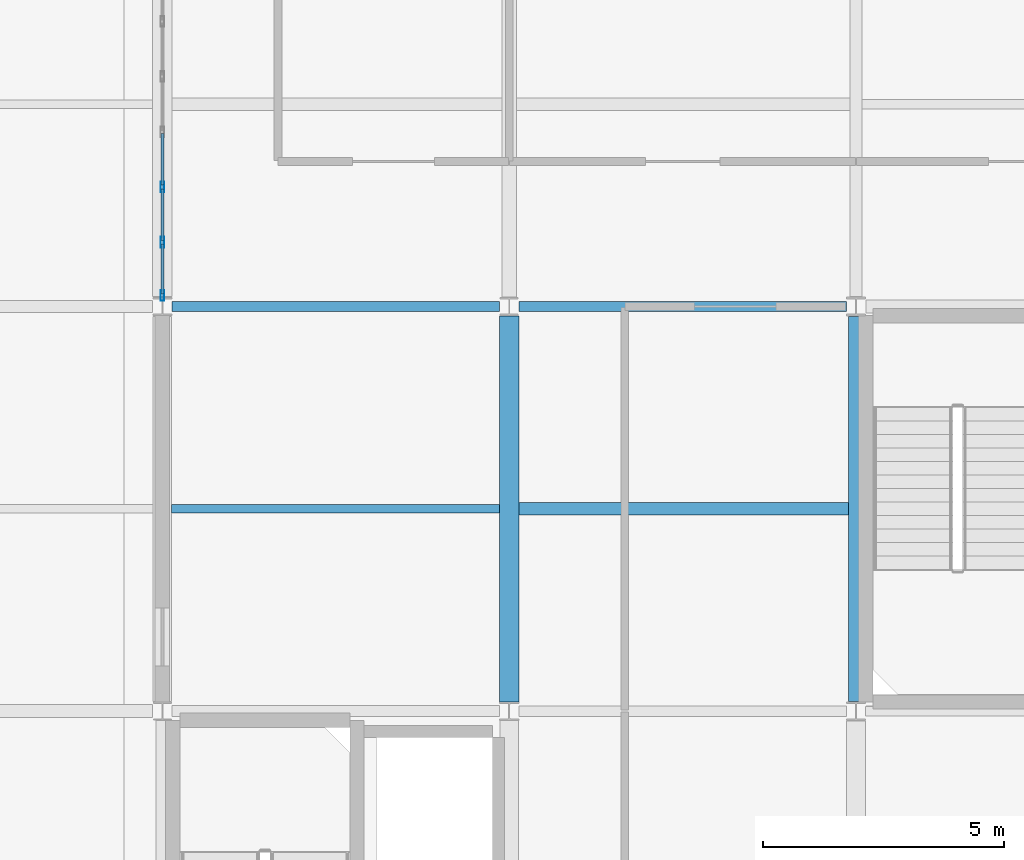
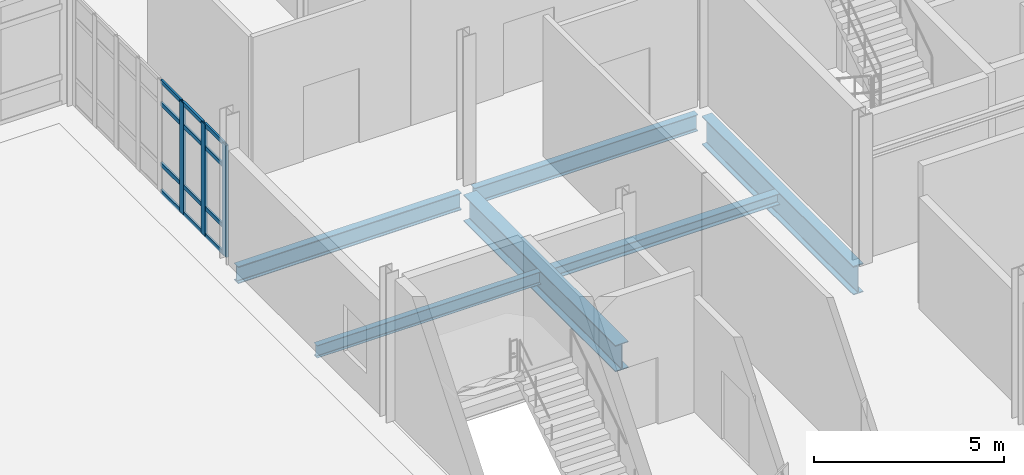
# One storey, part 69 of 186: 15 members, 6 beams, 1 element without a shape of its own.
"""IFC4 building model written with IfcOpenShell, lengths in metres."""

from ifc_helpers import new_model, si_unit, direction, frame, origin, origin_2d, place, context, subcontext, project, spatial, hollow_rectangle, i_section, extrude, material, layer, layer_set, material_profile, profile_set, type_object, element, aggregate, save


model = new_model("IFC4")

# Units and contexts
model_context = context("Model", 3, precision=1e-05, world=origin(), true_north=direction((0.0, 1.0)))
body_context = subcontext(model_context, "Body", "Model", "MODEL_VIEW")
ifc_project = project(units=[si_unit("LENGTHUNIT", "METRE"), si_unit("AREAUNIT", "SQUARE_METRE"), si_unit("VOLUMEUNIT", "CUBIC_METRE"), si_unit("PLANEANGLEUNIT", "RADIAN"), si_unit("MASSUNIT", "GRAM", prefix="KILO")], contexts=[model_context])

# Site, building, storey
site_placement = place(None, origin())
site = spatial("IfcSite", under=ifc_project, at=site_placement, CompositionType="ELEMENT")
building_placement = place(site_placement, origin())
building = spatial("IfcBuilding", under=site, at=building_placement, Name="Calvrana Isthmian Art Gallery", CompositionType="ELEMENT")
storey_placement = place(building_placement, frame((0.0, 0.0, 5.39990234375)))
storey = spatial("IfcBuildingStorey", under=building, at=storey_placement, Name="L01", CompositionType="ELEMENT", Elevation=5.39990234375)

# Beams
ifc_material_1 = material(Name="Steel ASTM A992 Gr 50", Category="steel")
ifc_material_profile_1 = material_profile(ifc_material_1, i_section(OverallWidth=0.208984375, OverallDepth=0.532958984375, WebThickness=0.01025390625, FlangeThickness=0.015625, FilletRadius=0.02099609375, at=origin_2d()), Name="W21X62")
ifc_profile_set_1 = profile_set([ifc_material_profile_1], Name="Steel ASTM A992 Gr 50")
beam_type_1 = type_object("IfcBeamType", Name="BM-G-W21X62", PredefinedType="BEAM", material=ifc_profile_set_1)
beam_1_placement = place(storey_placement, frame((120.199462890625, 38.39990234375, -0.511474609375), z_axis=(1.0, 0.0, 0.0), x_axis=(0.0, 1.0, 0.0)))
element("IfcBeam", 1, at=beam_1_placement, inside=storey, type_object=beam_type_1, Name="Girder X L01 16-17/F", PredefinedType="BEAM", context=body_context, shape_type="SweptSolid", body=[
    extrude(i_section(OverallWidth=0.208984375, OverallDepth=0.532958984375, WebThickness=0.01025390625, FlangeThickness=0.015625, FilletRadius=0.02099609375, at=origin_2d()), origin(), (0.0, 0.0, 1.0), 6.797607421875),
])
ifc_material_profile_2 = material_profile(ifc_material_1, i_section(OverallWidth=0.214111328125, OverallDepth=0.549072265625, WebThickness=0.0146484375, FlangeThickness=0.023681640625, FilletRadius=0.02099609375, at=origin_2d()), Name="W21X93")
ifc_profile_set_2 = profile_set([ifc_material_profile_2], Name="Steel ASTM A992 Gr 50")
beam_type_2 = type_object("IfcBeamType", Name="BM-G-W21X93", PredefinedType="BEAM", material=ifc_profile_set_2)
beam_2_placement = place(storey_placement, frame((113.001953125, 38.39990234375, -0.519287109375), z_axis=(1.0, 0.0, 0.0), x_axis=(0.0, 1.0, 0.0)))
element("IfcBeam", 2, at=beam_2_placement, inside=storey, type_object=beam_type_2, Name="Girder X L01 15-16/F", PredefinedType="BEAM", context=body_context, shape_type="SweptSolid", body=[
    extrude(i_section(OverallWidth=0.214111328125, OverallDepth=0.549072265625, WebThickness=0.0146484375, FlangeThickness=0.023681640625, FilletRadius=0.02099609375, at=origin_2d()), origin(), (0.0, 0.0, 1.0), 6.798583984375),
])
ifc_material_profile_3 = material_profile(ifc_material_1, i_section(OverallWidth=0.40087890625, OverallDepth=0.85595703125, WebThickness=0.018310546875, FlangeThickness=0.029296875, FilletRadius=0.02587890625, at=origin_2d()), Name="W33X201")
ifc_profile_set_3 = profile_set([ifc_material_profile_3], Name="Steel ASTM A992 Gr 50")
beam_type_3 = type_object("IfcBeamType", Name="BM-G-W33X201", PredefinedType="BEAM", material=ifc_profile_set_3)
beam_3_placement = place(storey_placement, frame((120.0, 30.193115234375, -0.6728515625), z_axis=(0.0, 1.0, 0.0), x_axis=(-1.0, 0.0, 0.0)))
element("IfcBeam", 3, at=beam_3_placement, inside=storey, type_object=beam_type_3, Name="Girder Y L01 16/E-F", PredefinedType="BEAM", context=body_context, shape_type="SweptSolid", body=[
    extrude(i_section(OverallWidth=0.40087890625, OverallDepth=0.85595703125, WebThickness=0.018310546875, FlangeThickness=0.029296875, FilletRadius=0.02587890625, at=origin_2d()), origin(), (0.0, 0.0, 1.0), 8.009765625),
])
ifc_material_profile_4 = material_profile(ifc_material_1, i_section(OverallWidth=0.306884765625, OverallDepth=0.927001953125, WebThickness=0.019287109375, FlangeThickness=0.031982421875, FilletRadius=0.028076171875, at=origin_2d()), Name="W36X194")
ifc_profile_set_4 = profile_set([ifc_material_profile_4], Name="Steel ASTM A992 Gr 50")
beam_type_4 = type_object("IfcBeamType", Name="BM-G-W36X194", PredefinedType="BEAM", material=ifc_profile_set_4)
beam_4_placement = place(storey_placement, frame((127.199951171875, 30.202880859375, -0.70849609375), z_axis=(0.0, 1.0, 0.0), x_axis=(-1.0, 0.0, 0.0)))
element("IfcBeam", 4, at=beam_4_placement, inside=storey, type_object=beam_type_4, Name="Girder Y L01 17/E-F", PredefinedType="BEAM", context=body_context, shape_type="SweptSolid", body=[
    extrude(i_section(OverallWidth=0.306884765625, OverallDepth=0.927001953125, WebThickness=0.019287109375, FlangeThickness=0.031982421875, FilletRadius=0.028076171875, at=origin_2d()), origin(), (0.0, 0.0, 1.0), 7.988525390625),
])
ifc_material_profile_5 = material_profile(ifc_material_1, i_section(OverallWidth=0.25390625, OverallDepth=0.35302734375, WebThickness=0.009521484375, FlangeThickness=0.016357421875, FilletRadius=0.01806640625, at=origin_2d()), Name="W14X61")
ifc_profile_set_5 = profile_set([ifc_material_profile_5], Name="Steel ASTM A992 Gr 50")
beam_type_5 = type_object("IfcBeamType", Name="BM-J-W14X61", PredefinedType="JOIST", material=ifc_profile_set_5)
beam_5_placement = place(storey_placement, frame((120.200439453125, 34.199951171875, -0.42138671875), z_axis=(1.0, 0.0, 0.0), x_axis=(0.0, 1.0, 0.0)))
element("IfcBeam", 5, at=beam_5_placement, inside=storey, type_object=beam_type_5, Name="Composite joist L01 bay 15-04", PredefinedType="JOIST", context=body_context, shape_type="SweptSolid", body=[
    extrude(i_section(OverallWidth=0.25390625, OverallDepth=0.35302734375, WebThickness=0.009521484375, FlangeThickness=0.016357421875, FilletRadius=0.01806640625, at=origin_2d()), origin(), (0.0, 0.0, 1.0), 6.845947265625),
])
ifc_material_profile_6 = material_profile(ifc_material_1, i_section(OverallWidth=0.177978515625, OverallDepth=0.404052734375, WebThickness=0.007568359375, FlangeThickness=0.010986328125, FilletRadius=0.01806640625, at=origin_2d()), Name="W16X36")
ifc_profile_set_6 = profile_set([ifc_material_profile_6], Name="Steel ASTM A992 Gr 50")
beam_type_6 = type_object("IfcBeamType", Name="BM-J-W16X36", PredefinedType="JOIST", material=ifc_profile_set_6)
beam_6_placement = place(storey_placement, frame((112.990478515625, 34.199951171875, -0.447021484375), z_axis=(1.0, 0.0, 0.0), x_axis=(0.0, 1.0, 0.0)))
element("IfcBeam", 6, at=beam_6_placement, inside=storey, type_object=beam_type_6, Name="Composite joist L01 bay 14-04", PredefinedType="JOIST", context=body_context, shape_type="SweptSolid", body=[
    extrude(i_section(OverallWidth=0.177978515625, OverallDepth=0.404052734375, WebThickness=0.007568359375, FlangeThickness=0.010986328125, FilletRadius=0.01806640625, at=origin_2d()), origin(), (0.0, 0.0, 1.0), 6.80908203125),
])

# Curtain wall, members
ifc_material_2 = material(Name="Anodized bronze aluminium 6063-T6", Category="aluminium")
ifc_layer = layer(ifc_material_2, 0.179931640625, Name="Anodized bronze aluminium 6063-T6")
ifc_layer_set = layer_set([ifc_layer], Name="Anodized bronze aluminium 6063-T6")
curtain_wall_type = type_object("IfcCurtainWallType", Name="CW-UNIT-080X36", PredefinedType="USERDEFINED", material=ifc_layer_set)
curtain_wall_placement = place(storey_placement, origin())
curtain_wall = element("IfcCurtainWall", 7, at=curtain_wall_placement, inside=storey, type_object=curtain_wall_type, Name="Curtain wall CW-136", ObjectType="UNITISED CURTAIN WALL", PredefinedType="USERDEFINED")
ifc_material_profile_7 = material_profile(ifc_material_2, hollow_rectangle(XDim=0.074951171875, YDim=0.219970703125, WallThickness=0.0048828125, at=origin_2d()), Name="CWM75X220")
ifc_profile_set_7 = profile_set([ifc_material_profile_7], Name="Anodized bronze aluminium 6063-T6")
member_type_1 = type_object("IfcMemberType", Name="CWM-CWM75X220", PredefinedType="MULLION", material=ifc_profile_set_7)
member_1_placement = place(storey_placement, frame((112.800048828125, 38.62548828125, 0.0), z_axis=(0.0, 0.0, 1.0), x_axis=(-1.0, 0.0, 0.0)))
member_1 = element("IfcMember", 8, at=member_1_placement, type_object=member_type_1, Name="CW-136 mullion 1", PredefinedType="MULLION", context=body_context, shape_type="SweptSolid", body=[
    extrude(hollow_rectangle(XDim=0.074951171875, YDim=0.219970703125, WallThickness=0.0048828125, at=origin_2d()), origin(), (0.0, 0.0, 1.0), 3.593017578125),
])
member_2_placement = place(storey_placement, frame((112.800048828125, 39.73388671875, 0.0), z_axis=(0.0, 0.0, 1.0), x_axis=(-1.0, 0.0, 0.0)))
member_2 = element("IfcMember", 9, at=member_2_placement, type_object=member_type_1, Name="CW-136 mullion 2", PredefinedType="MULLION", context=body_context, shape_type="SweptSolid", body=[
    extrude(hollow_rectangle(XDim=0.074951171875, YDim=0.219970703125, WallThickness=0.0048828125, at=origin_2d()), origin(), (0.0, 0.0, 1.0), 3.593017578125),
])
member_3_placement = place(storey_placement, frame((112.800048828125, 40.8798828125, 0.0), z_axis=(0.0, 0.0, 1.0), x_axis=(-1.0, 0.0, 0.0)))
member_3 = element("IfcMember", 10, at=member_3_placement, type_object=member_type_1, Name="CW-136 mullion 3", PredefinedType="MULLION", context=body_context, shape_type="SweptSolid", body=[
    extrude(hollow_rectangle(XDim=0.074951171875, YDim=0.219970703125, WallThickness=0.0048828125, at=origin_2d()), origin(), (0.0, 0.0, 1.0), 3.593017578125),
])
ifc_material_profile_8 = material_profile(ifc_material_2, hollow_rectangle(XDim=0.06005859375, YDim=0.1298828125, WallThickness=0.00390625, at=origin_2d()), Name="CWT60X130")
ifc_profile_set_8 = profile_set([ifc_material_profile_8], Name="Anodized bronze aluminium 6063-T6")
member_type_2 = type_object("IfcMemberType", Name="CWT-CWT60X130", PredefinedType="USERDEFINED", material=ifc_profile_set_8)
member_4_placement = place(storey_placement, frame((112.800048828125, 38.6630859375, 0.030029296875), z_axis=(0.0, 1.0, 0.0), x_axis=(-1.0, 0.0, 0.0)))
member_4 = element("IfcMember", 11, at=member_4_placement, type_object=member_type_2, Name="CW-136 transom 1.1", ObjectType="TRANSOM", PredefinedType="USERDEFINED", context=body_context, shape_type="SweptSolid", body=[
    extrude(hollow_rectangle(XDim=0.06005859375, YDim=0.1298828125, WallThickness=0.00390625, at=origin_2d()), origin(), (0.0, 0.0, 1.0), 1.033447265625),
])
member_5_placement = place(storey_placement, frame((112.800048828125, 38.6630859375, 0.900146484375), z_axis=(0.0, 1.0, 0.0), x_axis=(-1.0, 0.0, 0.0)))
member_5 = element("IfcMember", 12, at=member_5_placement, type_object=member_type_2, Name="CW-136 transom 1.2", ObjectType="TRANSOM", PredefinedType="USERDEFINED", context=body_context, shape_type="SweptSolid", body=[
    extrude(hollow_rectangle(XDim=0.06005859375, YDim=0.1298828125, WallThickness=0.00390625, at=origin_2d()), origin(), (0.0, 0.0, 1.0), 1.033447265625),
])
member_6_placement = place(storey_placement, frame((112.800048828125, 38.6630859375, 2.843017578125), z_axis=(0.0, 1.0, 0.0), x_axis=(-1.0, 0.0, 0.0)))
member_6 = element("IfcMember", 13, at=member_6_placement, type_object=member_type_2, Name="CW-136 transom 1.3", ObjectType="TRANSOM", PredefinedType="USERDEFINED", context=body_context, shape_type="SweptSolid", body=[
    extrude(hollow_rectangle(XDim=0.06005859375, YDim=0.1298828125, WallThickness=0.00390625, at=origin_2d()), origin(), (0.0, 0.0, 1.0), 1.033447265625),
])
member_7_placement = place(storey_placement, frame((112.800048828125, 38.6630859375, 3.56298828125), z_axis=(0.0, 1.0, 0.0), x_axis=(-1.0, 0.0, 0.0)))
member_7 = element("IfcMember", 14, at=member_7_placement, type_object=member_type_2, Name="CW-136 transom 1.4", ObjectType="TRANSOM", PredefinedType="USERDEFINED", context=body_context, shape_type="SweptSolid", body=[
    extrude(hollow_rectangle(XDim=0.06005859375, YDim=0.1298828125, WallThickness=0.00390625, at=origin_2d()), origin(), (0.0, 0.0, 1.0), 1.033447265625),
])
member_8_placement = place(storey_placement, frame((112.800048828125, 39.771484375, 0.030029296875), z_axis=(0.0, 1.0, 0.0), x_axis=(-1.0, 0.0, 0.0)))
member_8 = element("IfcMember", 15, at=member_8_placement, type_object=member_type_2, Name="CW-136 transom 2.1", ObjectType="TRANSOM", PredefinedType="USERDEFINED", context=body_context, shape_type="SweptSolid", body=[
    extrude(hollow_rectangle(XDim=0.06005859375, YDim=0.1298828125, WallThickness=0.00390625, at=origin_2d()), origin(), (0.0, 0.0, 1.0), 1.07080078125),
])
member_9_placement = place(storey_placement, frame((112.800048828125, 39.771484375, 0.900146484375), z_axis=(0.0, 1.0, 0.0), x_axis=(-1.0, 0.0, 0.0)))
member_9 = element("IfcMember", 16, at=member_9_placement, type_object=member_type_2, Name="CW-136 transom 2.2", ObjectType="TRANSOM", PredefinedType="USERDEFINED", context=body_context, shape_type="SweptSolid", body=[
    extrude(hollow_rectangle(XDim=0.06005859375, YDim=0.1298828125, WallThickness=0.00390625, at=origin_2d()), origin(), (0.0, 0.0, 1.0), 1.07080078125),
])
member_10_placement = place(storey_placement, frame((112.800048828125, 39.771484375, 2.843017578125), z_axis=(0.0, 1.0, 0.0), x_axis=(-1.0, 0.0, 0.0)))
member_10 = element("IfcMember", 17, at=member_10_placement, type_object=member_type_2, Name="CW-136 transom 2.3", ObjectType="TRANSOM", PredefinedType="USERDEFINED", context=body_context, shape_type="SweptSolid", body=[
    extrude(hollow_rectangle(XDim=0.06005859375, YDim=0.1298828125, WallThickness=0.00390625, at=origin_2d()), origin(), (0.0, 0.0, 1.0), 1.07080078125),
])
member_11_placement = place(storey_placement, frame((112.800048828125, 39.771484375, 3.56298828125), z_axis=(0.0, 1.0, 0.0), x_axis=(-1.0, 0.0, 0.0)))
member_11 = element("IfcMember", 18, at=member_11_placement, type_object=member_type_2, Name="CW-136 transom 2.4", ObjectType="TRANSOM", PredefinedType="USERDEFINED", context=body_context, shape_type="SweptSolid", body=[
    extrude(hollow_rectangle(XDim=0.06005859375, YDim=0.1298828125, WallThickness=0.00390625, at=origin_2d()), origin(), (0.0, 0.0, 1.0), 1.07080078125),
])
member_12_placement = place(storey_placement, frame((112.800048828125, 40.917236328125, 0.030029296875), z_axis=(0.0, 1.0, 0.0), x_axis=(-1.0, 0.0, 0.0)))
member_12 = element("IfcMember", 19, at=member_12_placement, type_object=member_type_2, Name="CW-136 transom 3.1", ObjectType="TRANSOM", PredefinedType="USERDEFINED", context=body_context, shape_type="SweptSolid", body=[
    extrude(hollow_rectangle(XDim=0.06005859375, YDim=0.1298828125, WallThickness=0.00390625, at=origin_2d()), origin(), (0.0, 0.0, 1.0), 1.071044921875),
])
member_13_placement = place(storey_placement, frame((112.800048828125, 40.917236328125, 0.900146484375), z_axis=(0.0, 1.0, 0.0), x_axis=(-1.0, 0.0, 0.0)))
member_13 = element("IfcMember", 20, at=member_13_placement, type_object=member_type_2, Name="CW-136 transom 3.2", ObjectType="TRANSOM", PredefinedType="USERDEFINED", context=body_context, shape_type="SweptSolid", body=[
    extrude(hollow_rectangle(XDim=0.06005859375, YDim=0.1298828125, WallThickness=0.00390625, at=origin_2d()), origin(), (0.0, 0.0, 1.0), 1.071044921875),
])
member_14_placement = place(storey_placement, frame((112.800048828125, 40.917236328125, 2.843017578125), z_axis=(0.0, 1.0, 0.0), x_axis=(-1.0, 0.0, 0.0)))
member_14 = element("IfcMember", 21, at=member_14_placement, type_object=member_type_2, Name="CW-136 transom 3.3", ObjectType="TRANSOM", PredefinedType="USERDEFINED", context=body_context, shape_type="SweptSolid", body=[
    extrude(hollow_rectangle(XDim=0.06005859375, YDim=0.1298828125, WallThickness=0.00390625, at=origin_2d()), origin(), (0.0, 0.0, 1.0), 1.071044921875),
])
member_15_placement = place(storey_placement, frame((112.800048828125, 40.917236328125, 3.56298828125), z_axis=(0.0, 1.0, 0.0), x_axis=(-1.0, 0.0, 0.0)))
member_15 = element("IfcMember", 22, at=member_15_placement, type_object=member_type_2, Name="CW-136 transom 3.4", ObjectType="TRANSOM", PredefinedType="USERDEFINED", context=body_context, shape_type="SweptSolid", body=[
    extrude(hollow_rectangle(XDim=0.06005859375, YDim=0.1298828125, WallThickness=0.00390625, at=origin_2d()), origin(), (0.0, 0.0, 1.0), 1.071044921875),
])
aggregate(curtain_wall, [member_1, member_2, member_3, member_4, member_5, member_6, member_7, member_8, member_9, member_10, member_11, member_12, member_13, member_14, member_15])

save(model, "model.ifc")
